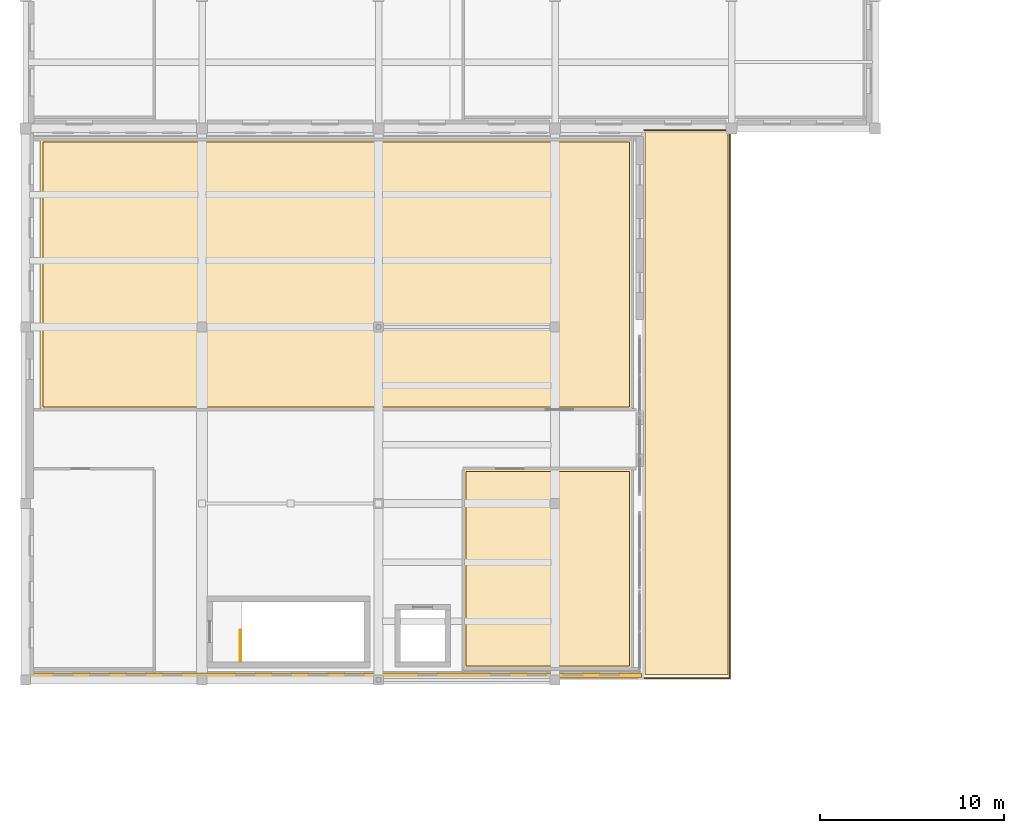
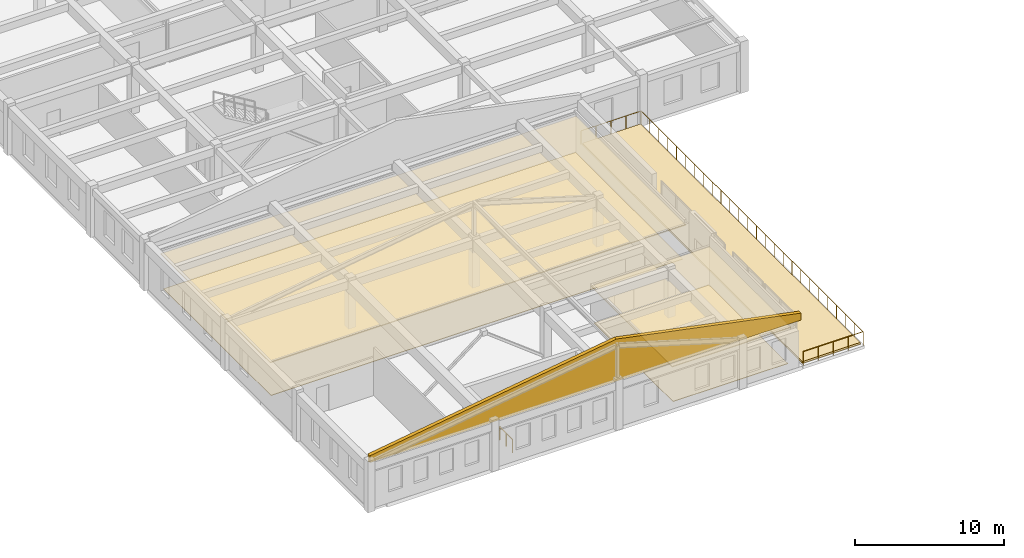
# One storey, part 23 of 31: 6 coverings, 2 railings.
"""IFC4 building model written with IfcOpenShell, lengths in metres."""

from ifc_helpers import new_model, si_unit, direction, frame, origin, origin_2d, place, context, subcontext, project, spatial, polyline, circle, outline, extrude, material, layer, layer_set, type_object, element, save


model = new_model("IFC4")

# Units and contexts
model_context = context("Model", 3, precision=1e-05, world=origin(), true_north=direction((0.0, 1.0)))
body_context = subcontext(model_context, "Body", "Model", "MODEL_VIEW")
ifc_project = project(units=[si_unit("LENGTHUNIT", "METRE"), si_unit("AREAUNIT", "SQUARE_METRE"), si_unit("VOLUMEUNIT", "CUBIC_METRE"), si_unit("PLANEANGLEUNIT", "RADIAN"), si_unit("MASSUNIT", "GRAM", prefix="KILO")], contexts=[model_context])

# Site, building, storey
site_placement = place(None, origin())
site = spatial("IfcSite", under=ifc_project, at=site_placement, CompositionType="ELEMENT")
building_placement = place(site_placement, origin())
building = spatial("IfcBuilding", under=site, at=building_placement, Name="Tarnavel Promenade Courthouse", CompositionType="ELEMENT")
storey_placement = place(building_placement, frame((0.0, 0.0, 18.60009765625)))
storey = spatial("IfcBuildingStorey", under=building, at=storey_placement, Name="L05", CompositionType="ELEMENT", Elevation=18.60009765625)

# Covering
ifc_material_1 = material(Name="Carved Buff Limestone Floor-Band Cornice Ledge", Category="masonry")
ifc_layer_1 = layer(ifc_material_1, 0.320068359375)
ifc_layer_set_1 = layer_set([ifc_layer_1], Name="Carved Buff Limestone Floor-Band Cornice Ledge")
covering_type_1 = type_object("IfcCoveringType", Name="Carved Buff Limestone Floor-Band Cornice Ledge COV-LEDGE-320 (320 mm)", PredefinedType="CLADDING", material=ifc_layer_set_1)
covering_1_placement = place(storey_placement, frame((0.10009765625, 37.449951171875, 3.75), z_axis=(0.0, 0.0, 1.0), x_axis=(1.0, 0.0, 0.0)))
element("IfcCovering", 1, at=covering_1_placement, inside=storey, type_object=covering_type_1, Name="L05 Law Library South Ashlar Gable Tympanum", PredefinedType="CLADDING", context=body_context, shape_type="SweptSolid", body=[
    extrude(outline(polyline([(0.0, 0.0), (33.39990234375, 0.0), (33.39990234375, 0.56982421875), (19.10009765625, 3.449951171875), (0.0, 0.56982421875), (0.0, 0.0)])), frame((0.0, 0.14013671875, 0.0), z_axis=(0.0, -1.0, 0.0), x_axis=(1.0, 0.0, 0.0)), (0.0, 0.0, 1.0), 0.280029296875),
])

# Railing
ifc_material_2 = material(Name="Carved Limestone and Bronze Terrace Balustrade", Category="masonry")
railing_type_1 = type_object("IfcRailingType", Name="Carved Limestone and Bronze Terrace Balustrade (RL-BAL-1150)", PredefinedType="BALUSTRADE", material=ifc_material_2)
railing_1_placement = place(storey_placement, frame((33.64990234375, 37.300048828125, 0.0)))
element("IfcRailing", 2, at=railing_1_placement, inside=storey, type_object=railing_type_1, Name="L05 Law Library Reading Terrace Perimeter Balustrade", PredefinedType="BALUSTRADE", context=body_context, shape_type="SweptSolid", body=[
    extrude(circle(Radius=0.02392578125, at=origin_2d()), frame((0.0, 0.0, 1.1259765625), z_axis=(1.0, 0.0, 0.0), x_axis=(0.0, 1.0, 0.0)), (0.0, 0.0, 1.0), 4.650146484375),
    extrude(circle(Radius=0.02392578125, at=origin_2d()), frame((4.650146484375, 0.0, 1.1259765625), z_axis=(0.0, 1.0, 0.0), x_axis=(-1.0, 0.0, 0.0)), (0.0, 0.0, 1.0), 29.800048828125),
    extrude(circle(Radius=0.02392578125, at=origin_2d()), frame((4.650146484375, 29.800048828125, 1.1259765625), z_axis=(-1.0, 0.0, 0.0), x_axis=(0.0, -1.0, 0.0)), (0.0, 0.0, 1.0), 4.650146484375),
    extrude(circle(Radius=0.02099609375, at=origin_2d()), origin(), (0.0, 0.0, 1.0), 1.101806640625),
    extrude(circle(Radius=0.02099609375, at=origin_2d()), frame((1.16259765625, 0.0, 0.0)), (0.0, 0.0, 1.0), 1.101806640625),
    extrude(circle(Radius=0.02099609375, at=origin_2d()), frame((2.3251953125, 0.0, 0.0)), (0.0, 0.0, 1.0), 1.101806640625),
    extrude(circle(Radius=0.02099609375, at=origin_2d()), frame((3.487548828125, 0.0, 0.0)), (0.0, 0.0, 1.0), 1.101806640625),
    extrude(circle(Radius=0.02099609375, at=origin_2d()), frame((4.650146484375, 0.0, 0.0)), (0.0, 0.0, 1.0), 1.101806640625),
    extrude(circle(Radius=0.02099609375, at=origin_2d()), frame((4.650146484375, 1.19189453125, 0.0)), (0.0, 0.0, 1.0), 1.101806640625),
    extrude(circle(Radius=0.02099609375, at=origin_2d()), frame((4.650146484375, 2.384033203125, 0.0)), (0.0, 0.0, 1.0), 1.101806640625),
    extrude(circle(Radius=0.02099609375, at=origin_2d()), frame((4.650146484375, 3.575927734375, 0.0)), (0.0, 0.0, 1.0), 1.101806640625),
    extrude(circle(Radius=0.02099609375, at=origin_2d()), frame((4.650146484375, 4.76806640625, 0.0)), (0.0, 0.0, 1.0), 1.101806640625),
    extrude(circle(Radius=0.02099609375, at=origin_2d()), frame((4.650146484375, 5.9599609375, 0.0)), (0.0, 0.0, 1.0), 1.101806640625),
    extrude(circle(Radius=0.02099609375, at=origin_2d()), frame((4.650146484375, 7.152099609375, 0.0)), (0.0, 0.0, 1.0), 1.101806640625),
    extrude(circle(Radius=0.02099609375, at=origin_2d()), frame((4.650146484375, 8.343994140625, 0.0)), (0.0, 0.0, 1.0), 1.101806640625),
    extrude(circle(Radius=0.02099609375, at=origin_2d()), frame((4.650146484375, 9.5361328125, 0.0)), (0.0, 0.0, 1.0), 1.101806640625),
    extrude(circle(Radius=0.02099609375, at=origin_2d()), frame((4.650146484375, 10.72802734375, 0.0)), (0.0, 0.0, 1.0), 1.101806640625),
    extrude(circle(Radius=0.02099609375, at=origin_2d()), frame((4.650146484375, 11.919921875, 0.0)), (0.0, 0.0, 1.0), 1.101806640625),
    extrude(circle(Radius=0.02099609375, at=origin_2d()), frame((4.650146484375, 13.112060546875, 0.0)), (0.0, 0.0, 1.0), 1.101806640625),
    extrude(circle(Radius=0.02099609375, at=origin_2d()), frame((4.650146484375, 14.303955078125, 0.0)), (0.0, 0.0, 1.0), 1.101806640625),
    extrude(circle(Radius=0.02099609375, at=origin_2d()), frame((4.650146484375, 15.49609375, 0.0)), (0.0, 0.0, 1.0), 1.101806640625),
    extrude(circle(Radius=0.02099609375, at=origin_2d()), frame((4.650146484375, 16.68798828125, 0.0)), (0.0, 0.0, 1.0), 1.101806640625),
    extrude(circle(Radius=0.02099609375, at=origin_2d()), frame((4.650146484375, 17.880126953125, 0.0)), (0.0, 0.0, 1.0), 1.101806640625),
    extrude(circle(Radius=0.02099609375, at=origin_2d()), frame((4.650146484375, 19.072021484375, 0.0)), (0.0, 0.0, 1.0), 1.101806640625),
    extrude(circle(Radius=0.02099609375, at=origin_2d()), frame((4.650146484375, 20.263916015625, 0.0)), (0.0, 0.0, 1.0), 1.101806640625),
    extrude(circle(Radius=0.02099609375, at=origin_2d()), frame((4.650146484375, 21.4560546875, 0.0)), (0.0, 0.0, 1.0), 1.101806640625),
    extrude(circle(Radius=0.02099609375, at=origin_2d()), frame((4.650146484375, 22.64794921875, 0.0)), (0.0, 0.0, 1.0), 1.101806640625),
    extrude(circle(Radius=0.02099609375, at=origin_2d()), frame((4.650146484375, 23.840087890625, 0.0)), (0.0, 0.0, 1.0), 1.101806640625),
    extrude(circle(Radius=0.02099609375, at=origin_2d()), frame((4.650146484375, 25.031982421875, 0.0)), (0.0, 0.0, 1.0), 1.101806640625),
    extrude(circle(Radius=0.02099609375, at=origin_2d()), frame((4.650146484375, 26.22412109375, 0.0)), (0.0, 0.0, 1.0), 1.101806640625),
    extrude(circle(Radius=0.02099609375, at=origin_2d()), frame((4.650146484375, 27.416015625, 0.0)), (0.0, 0.0, 1.0), 1.101806640625),
    extrude(circle(Radius=0.02099609375, at=origin_2d()), frame((4.650146484375, 28.608154296875, 0.0)), (0.0, 0.0, 1.0), 1.101806640625),
    extrude(circle(Radius=0.02099609375, at=origin_2d()), frame((4.650146484375, 29.800048828125, 0.0)), (0.0, 0.0, 1.0), 1.101806640625),
    extrude(circle(Radius=0.02099609375, at=origin_2d()), frame((3.487548828125, 29.800048828125, 0.0)), (0.0, 0.0, 1.0), 1.101806640625),
    extrude(circle(Radius=0.02099609375, at=origin_2d()), frame((2.3251953125, 29.800048828125, 0.0)), (0.0, 0.0, 1.0), 1.101806640625),
    extrude(circle(Radius=0.02099609375, at=origin_2d()), frame((1.16259765625, 29.800048828125, 0.0)), (0.0, 0.0, 1.0), 1.101806640625),
    extrude(circle(Radius=0.02099609375, at=origin_2d()), frame((0.0, 29.800048828125, 0.0)), (0.0, 0.0, 1.0), 1.101806640625),
])

# Coverings
ifc_material_3 = material(Name="Honed Khoriatis Marble and Terrazzo Civic Flooring", Category="masonry")
ifc_layer_2 = layer(ifc_material_3, 0.0400390625)
ifc_layer_set_2 = layer_set([ifc_layer_2], Name="Honed Khoriatis Marble and Terrazzo Civic Flooring")
covering_type_2 = type_object("IfcCoveringType", Name="Honed Khoriatis Marble and Terrazzo Civic Flooring (COV-FLR-TRZ-40)", PredefinedType="FLOORING", material=ifc_layer_set_2)
covering_2_placement = place(storey_placement, origin())
element("IfcCovering", 3, at=covering_2_placement, inside=storey, type_object=covering_type_2, Name="L05 Law Library Reading Room Terrace Pavilion Architectural Flooring 0034", PredefinedType="FLOORING", context=body_context, shape_type="SweptSolid", body=[
    extrude(outline(polyline([(0.949951171875, 52.050048828125), (32.85009765625, 52.050048828125), (32.85009765625, 66.449951171875), (0.949951171875, 66.449951171875), (0.949951171875, 52.050048828125)])), origin(), (0.0, 0.0, 1.0), 0.039794921875),
])
covering_3_placement = place(storey_placement, origin())
element("IfcCovering", 4, at=covering_3_placement, inside=storey, type_object=covering_type_2, Name="L05 Senior Judicial Research Library Architectural Flooring 0035", PredefinedType="FLOORING", context=body_context, shape_type="SweptSolid", body=[
    extrude(outline(polyline([(23.949951171875, 37.949951171875), (32.85009765625, 37.949951171875), (32.85009765625, 48.550048828125), (23.949951171875, 48.550048828125), (23.949951171875, 37.949951171875)])), origin(), (0.0, 0.0, 1.0), 0.039794921875),
])

# Railing
ifc_material_4 = material(Name="Painted Architectural Steel Core Stair Guardrail", Category="steel")
railing_type_2 = type_object("IfcRailingType", Name="Painted Architectural Steel Core Stair Guardrail (RL-GRD-1100)", PredefinedType="GUARDRAIL", material=ifc_material_4)
railing_2_placement = place(storey_placement, frame((11.669921875, 38.199951171875, 0.0)))
element("IfcRailing", 5, at=railing_2_placement, inside=storey, type_object=railing_type_2, Name="L05 ST-05 top well guard 1", PredefinedType="GUARDRAIL", context=body_context, shape_type="SweptSolid", body=[
    extrude(circle(Radius=0.02392578125, at=origin_2d()), frame((0.0, 0.0, 1.076171875), z_axis=(0.0, 1.0, 0.0), x_axis=(-1.0, 0.0, 0.0)), (0.0, 0.0, 1.0), 1.719970703125),
    extrude(circle(Radius=0.02099609375, at=origin_2d()), origin(), (0.0, 0.0, 1.0), 1.052001953125),
    extrude(circle(Radius=0.02099609375, at=origin_2d()), frame((0.0, 0.85986328125, 0.0)), (0.0, 0.0, 1.0), 1.052001953125),
    extrude(circle(Radius=0.02099609375, at=origin_2d()), frame((0.0, 1.719970703125, 0.0)), (0.0, 0.0, 1.0), 1.052001953125),
])

# Coverings
ifc_material_5 = material(Name="Slatted Acoustic White Oak Baffle Ceiling")
ifc_layer_3 = layer(ifc_material_5, 0.06494140625)
ifc_layer_set_3 = layer_set([ifc_layer_3], Name="Slatted Acoustic White Oak Baffle Ceiling")
covering_type_3 = type_object("IfcCoveringType", Name="Slatted Acoustic White Oak Baffle Ceiling (COV-CLG-OAK-65)", PredefinedType="CEILING", material=ifc_layer_set_3)
covering_4_placement = place(storey_placement, frame((0.0, 0.0, 2.824951171875)))
element("IfcCovering", 6, at=covering_4_placement, inside=storey, type_object=covering_type_3, Name="L05 Law Library Reading Room Terrace Pavilion Acoustic Ceiling 0034", PredefinedType="CEILING", context=body_context, shape_type="SweptSolid", body=[
    extrude(outline(polyline([(0.800048828125, 51.89990234375), (33.0, 51.89990234375), (33.0, 66.60009765625), (0.800048828125, 66.60009765625), (0.800048828125, 51.89990234375)])), origin(), (0.0, 0.0, 1.0), 0.06494140625),
])
covering_5_placement = place(storey_placement, frame((0.0, 0.0, 2.974853515625)))
element("IfcCovering", 7, at=covering_5_placement, inside=storey, type_object=covering_type_3, Name="L05 Senior Judicial Research Library Acoustic Ceiling 0035", PredefinedType="CEILING", context=body_context, shape_type="SweptSolid", body=[
    extrude(outline(polyline([(23.800048828125, 37.800048828125), (33.0, 37.800048828125), (33.0, 48.699951171875), (23.800048828125, 48.699951171875), (23.800048828125, 37.800048828125)])), origin(), (0.0, 0.0, 1.0), 0.06494140625),
])
ifc_material_6 = material(Name="Subarctic Sedum Planted Roof-Garden Build-Up")
ifc_layer_4 = layer(ifc_material_6, 0.159912109375)
ifc_layer_set_4 = layer_set([ifc_layer_4], Name="Subarctic Sedum Planted Roof-Garden Build-Up")
covering_type_4 = type_object("IfcCoveringType", Name="Subarctic Sedum Planted Roof-Garden Build-Up COV-RF-GREEN-160 (160 mm)", PredefinedType="ROOFING", material=ifc_layer_set_4)
covering_6_placement = place(storey_placement, origin())
element("IfcCovering", 8, at=covering_6_placement, inside=storey, type_object=covering_type_4, Name="L05 Law Library Terrace Planted Roof-Garden Build-Up", PredefinedType="ROOFING", context=body_context, shape_type="SweptSolid", body=[
    extrude(outline(polyline([(33.699951171875, 37.5), (38.199951171875, 37.5), (38.199951171875, 67.0), (33.699951171875, 67.0), (33.699951171875, 37.5)])), origin(), (0.0, 0.0, 1.0), 0.159912109375),
])

save(model, "model.ifc")
